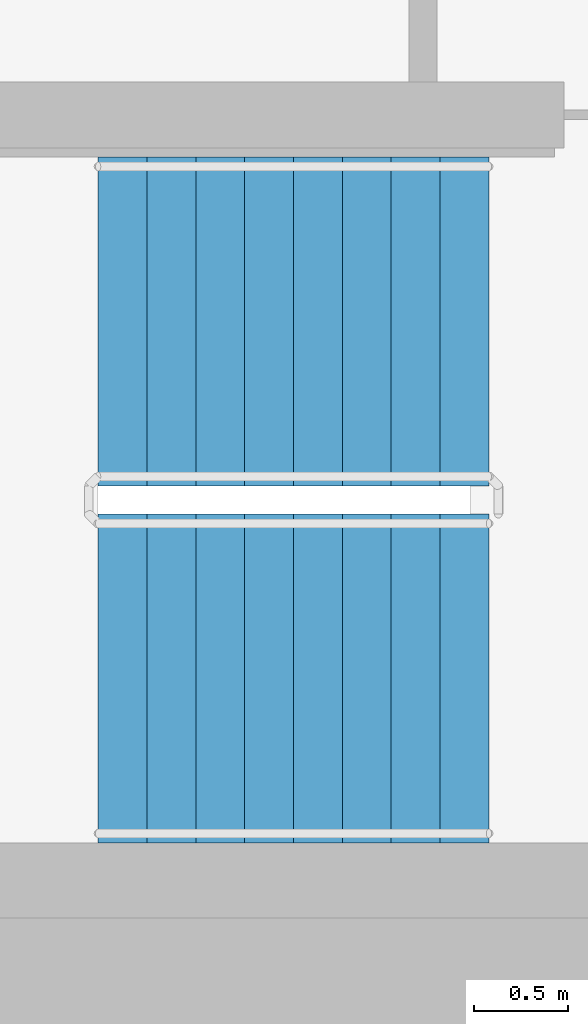
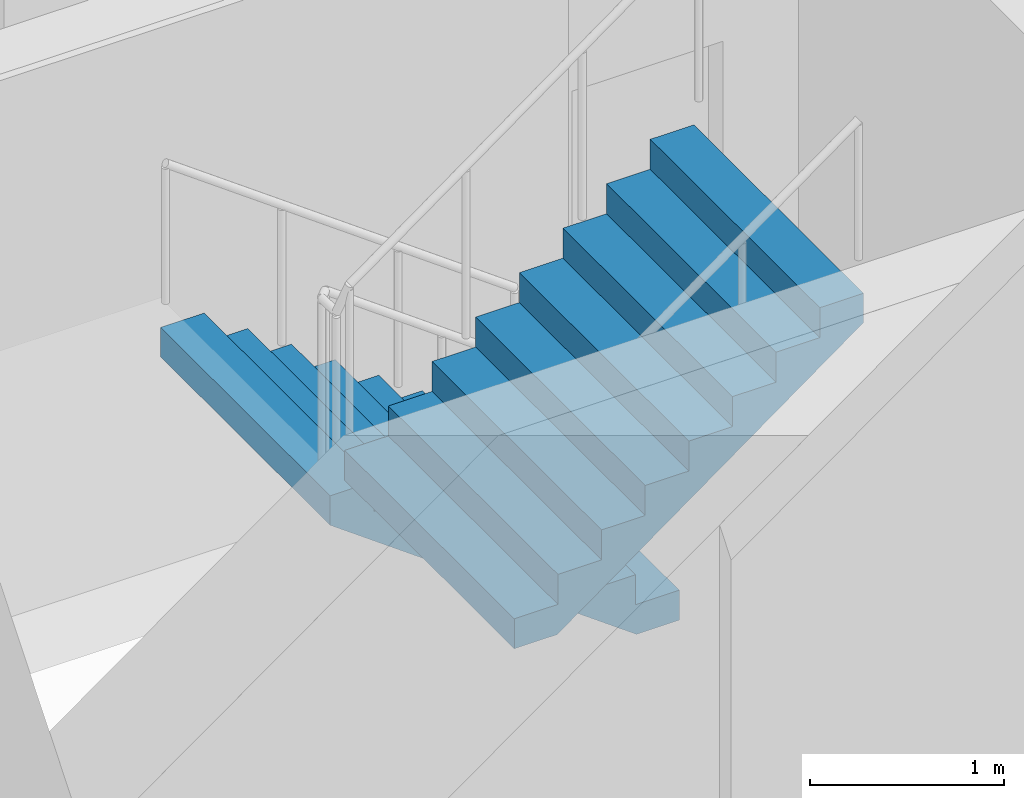
# One storey, part 12 of 18: 2 stair flights, 1 element without a shape of its own.
"""IFC4 building model written with IfcOpenShell, lengths in metres."""

import ifcopenshell
import ifcopenshell.guid

model = None  # the IFC model being written
_history = None  # IfcOwnerHistory: only IFC2X3 demands one
_inside = {}  # id of a spatial element -> (the spatial element, [elements in it])
_under = {}  # id of a project, library or spatial element -> (it, [spatial elements below it])
_declared = {}  # id of a project -> (the project, [libraries it declares])
_typed = {}  # id of a type object -> (the type object, [elements of that type])
_made_of = {}  # id of a material, layer set ... -> (it, [elements and type objects made of it])


def new_model(schema):
    """Start an empty IFC model of exactly this schema.

    Asked for "IFC4X3", IfcOpenShell would pick the latest addendum, in which some entities
    have other attributes; the version numbers below select the first issue.
    IFC2X3 requires an IfcOwnerHistory on every rooted entity: one is made here for all.
    """
    global model, _history
    if schema == "IFC4X3":
        model = ifcopenshell.file(schema_version=(4, 3, 0, 0))
    else:
        model = ifcopenshell.file(schema=schema)
    _inside.clear()
    _under.clear()
    _declared.clear()
    _typed.clear()
    _made_of.clear()
    _history = None
    if model.schema == "IFC2X3":
        org = make("IfcOrganization", Name="unknown")
        user = make(
            "IfcPersonAndOrganization",
            ThePerson=make("IfcPerson", FamilyName="unknown"),
            TheOrganization=org,
        )
        app = make(
            "IfcApplication",
            ApplicationDeveloper=org,
            Version="unknown",
            ApplicationFullName="unknown",
            ApplicationIdentifier="unknown",
        )
        _history = make(
            "IfcOwnerHistory",
            OwningUser=user,
            OwningApplication=app,
            ChangeAction="ADDED",
            CreationDate=0,
        )
    return model


def make(cls, **values):
    """One entity of the class cls with the attributes given. An attribute that is None is left unset."""
    return model.create_entity(
        cls, **{name: value for name, value in values.items() if value is not None}
    )


def rooted(cls, **values):
    """An entity with a GlobalId (a new one), such as an element, a storey or a relation."""
    return make(cls, GlobalId=ifcopenshell.guid.new(), OwnerHistory=_history, **values)


def si_unit(unit_type, name, prefix=None):
    """IfcSIUnit, for example si_unit("LENGTHUNIT", "METRE", prefix="MILLI")."""
    return make("IfcSIUnit", UnitType=unit_type, Prefix=prefix, Name=name)


def assignment(units):
    """IfcUnitAssignment: the units of a project."""
    return None if units is None else make("IfcUnitAssignment", Units=units)


def point(xyz):
    """IfcCartesianPoint."""
    return None if xyz is None else make("IfcCartesianPoint", Coordinates=xyz)


def direction(xyz):
    """IfcDirection."""
    return None if xyz is None else make("IfcDirection", DirectionRatios=xyz)


def frame(location, z_axis=None, x_axis=None):
    """IfcAxis2Placement3D, a coordinate frame: its origin and axes. An axis left out is left unset."""
    return make(
        "IfcAxis2Placement3D",
        Location=point(location),
        Axis=direction(z_axis),
        RefDirection=direction(x_axis),
    )


def origin():
    """The frame at (0, 0, 0) with its axes left unset."""
    return frame((0.0, 0.0, 0.0))


def place(relative_to, where):
    """IfcLocalPlacement: puts the frame where relative to a parent placement (None: the world)."""
    return make(
        "IfcLocalPlacement", PlacementRelTo=relative_to, RelativePlacement=where
    )


def context(
    kind, dimensions, precision=None, world=None, true_north=None, identifier=None
):
    """IfcGeometricRepresentationContext, for example the 3D "Model" context."""
    return make(
        "IfcGeometricRepresentationContext",
        ContextIdentifier=identifier,
        ContextType=kind,
        CoordinateSpaceDimension=dimensions,
        Precision=precision,
        WorldCoordinateSystem=world,
        TrueNorth=true_north,
    )


def subcontext(parent, identifier, kind, view, scale=None):
    """IfcGeometricRepresentationSubContext, for example "Body" below "Model"."""
    return make(
        "IfcGeometricRepresentationSubContext",
        ContextIdentifier=identifier,
        ContextType=kind,
        ParentContext=parent,
        TargetScale=scale,
        TargetView=view,
    )


def project(units=None, contexts=None):
    """IfcProject with its units and contexts."""
    return rooted(
        "IfcProject",
        Name="project",
        RepresentationContexts=contexts,
        UnitsInContext=assignment(units),
    )


def spatial(cls, under=None, at=None, **own):
    """A site, building, storey or space (cls), placed at a placement, below another one or the project."""
    s = rooted(cls, ObjectPlacement=at, **own)
    if under is not None:
        _under.setdefault(under.id(), (under, []))[1].append(s)
    return s


def faces_of(points, faces, orient=None, outer=None):
    """IfcFace entities. A face is a list of loops; a loop is a list of indices into points, from 0.

    orient and outer hold one flag for each loop. By default every Orientation is true, the
    first loop of a face is its IfcFaceOuterBound and the others are IfcFaceBound.
    """
    made = []
    for i, loops in enumerate(faces):
        bounds = []
        for j, loop in enumerate(loops):
            is_outer = j == 0 if outer is None else outer[i][j]
            bounds.append(
                make(
                    "IfcFaceOuterBound" if is_outer else "IfcFaceBound",
                    Bound=make("IfcPolyLoop", Polygon=[points[k] for k in loop]),
                    Orientation=True if orient is None else orient[i][j],
                )
            )
        made.append(make("IfcFace", Bounds=bounds))
    return made


def faceted_brep(points, faces, orient=None, outer=None, voids=None):
    """IfcFacetedBrep: a solid bounded by flat faces; with voids (closed shells), ...WithVoids."""
    shared = [point(p) for p in points]
    hull = make("IfcClosedShell", CfsFaces=faces_of(shared, faces, orient, outer))
    if voids is None:
        return make("IfcFacetedBrep", Outer=hull)
    return make(
        "IfcFacetedBrepWithVoids",
        Outer=hull,
        Voids=[
            make(cls, CfsFaces=faces_of(shared, fs, o, b)) for cls, fs, o, b in voids
        ],
    )


def shape(context_of_items, identifier, shape_type, items):
    """IfcShapeRepresentation: the items that make up one representation, for example the "Body"."""
    return make(
        "IfcShapeRepresentation",
        ContextOfItems=context_of_items,
        RepresentationIdentifier=identifier,
        RepresentationType=shape_type,
        Items=items,
    )


def material(Name=None, Category=None):
    """IfcMaterial."""
    return make("IfcMaterial", Name=Name, Category=Category)


def made_of(thing, what):
    """Note that an element or type object is made of a material, layer set ...; save() writes the relation."""
    if what is not None:
        _made_of.setdefault(what.id(), (what, []))[1].append(thing)
    return thing


def type_object(cls, material=None, **own):
    """A type object (cls), such as IfcWallType, which elements share."""
    return made_of(rooted(cls, **own), material)


def element(
    cls,
    number,
    at=None,
    inside=None,
    cuts=None,
    type_object=None,
    material=None,
    context=None,
    identifier="Body",
    shape_type=None,
    held_by="IfcProductDefinitionShape",
    body=None,
    shapes=None,
    **own,
):
    """One element of the class cls, such as IfcWall. Its Tag is "e" and its number.

    at: its placement. inside: the storey or other place that contains it. cuts: it is an
    opening in that element (IfcRelVoidsElement). A single representation is given by context,
    identifier, shape_type and body (its items); several are given by shapes. held_by: the class
    of the entity that holds the representations. save() writes the other relations.
    """
    e = rooted(cls, Tag="e%d" % number, ObjectPlacement=at, **own)
    if body is not None:
        shapes = [shape(context, identifier, shape_type, body)]
    if shapes is not None:
        e.Representation = make(held_by, Representations=shapes)
    if inside is not None:
        _inside.setdefault(inside.id(), (inside, []))[1].append(e)
    if cuts is not None:
        rooted(
            "IfcRelVoidsElement", RelatingBuildingElement=cuts, RelatedOpeningElement=e
        )
    if type_object is not None:
        _typed.setdefault(type_object.id(), (type_object, []))[1].append(e)
    return made_of(e, material)


def aggregate(whole, parts):
    """IfcRelAggregates: a whole, such as a stair, and the parts it consists of."""
    return rooted("IfcRelAggregates", RelatingObject=whole, RelatedObjects=parts)


def save(model, path):
    """Write the relations noted so far, then the file.

    IfcRelAggregates (storeys below a building ...), IfcRelContainedInSpatialStructure (elements
    in a storey), IfcRelDefinesByType, IfcRelAssociatesMaterial and IfcRelDeclares: one each for
    every whole, place, type object, material and project.
    """
    for whole, parts in _under.values():
        aggregate(whole, parts)
    for where, things in _inside.values():
        rooted(
            "IfcRelContainedInSpatialStructure",
            RelatedElements=things,
            RelatingStructure=where,
        )
    for kind, things in _typed.values():
        rooted("IfcRelDefinesByType", RelatedObjects=things, RelatingType=kind)
    for what, things in _made_of.values():
        rooted("IfcRelAssociatesMaterial", RelatedObjects=things, RelatingMaterial=what)
    for by, libraries in _declared.values():
        rooted("IfcRelDeclares", RelatingContext=by, RelatedDefinitions=libraries)
    model.write(path)


model = new_model("IFC4")

# Units and contexts
model_context = context("Model", 3, precision=1e-05, world=origin(), true_north=direction((0.0, 1.0)))
body_context = subcontext(model_context, "Body", "Model", "MODEL_VIEW")
ifc_project = project(units=[si_unit("LENGTHUNIT", "METRE"), si_unit("AREAUNIT", "SQUARE_METRE"), si_unit("VOLUMEUNIT", "CUBIC_METRE"), si_unit("PLANEANGLEUNIT", "RADIAN"), si_unit("MASSUNIT", "GRAM", prefix="KILO")], contexts=[model_context])

# Site, building, storey
site_placement = place(None, origin())
site = spatial("IfcSite", under=ifc_project, at=site_placement, CompositionType="ELEMENT")
building_placement = place(site_placement, origin())
building = spatial("IfcBuilding", under=site, at=building_placement, Name="Ipe Terrace Towers", CompositionType="ELEMENT")
storey_placement = place(building_placement, frame((0.0, 0.0, 177.89990234375)))
storey = spatial("IfcBuildingStorey", under=building, at=storey_placement, Name="L49", CompositionType="ELEMENT", Elevation=177.89990234375)

# Stair, stair flights
ifc_material_1 = material(Name="Concrete C30/37", Category="concrete")
stair_type = type_object("IfcStairType", Name="Protected exit stair", PredefinedType="HALF_TURN_STAIR", material=ifc_material_1)
stair_placement = place(storey_placement, origin())
stair = element("IfcStair", 1, at=stair_placement, inside=storey, type_object=stair_type, Name="L49 Exit stair T1-C2", PredefinedType="HALF_TURN_STAIR")
ifc_material_2 = material(Name="Concrete C30/37", Category="concrete")
stair_flight_type = type_object("IfcStairFlightType", Name="Exit stair flight 1750", PredefinedType="STRAIGHT", material=ifc_material_2)
stair_flight_1_placement = place(storey_placement, frame((-45.699951171875, -2.77490234375, 0.0), z_axis=(0.0, 0.0, 1.0), x_axis=(-1.0, 0.0, 0.0)))
stair_flight_1 = element("IfcStairFlight", 2, at=stair_flight_1_placement, type_object=stair_flight_type, Name="T1-ST2 flight 1", NumberOfRisers=9, NumberOfTreads=8, PredefinedType="STRAIGHT", RiserHeight=0.188888889, TreadLength=0.26, context=body_context, shape_type="Brep", body=[
    faceted_brep([(0.255126953125, -0.875, 0.0), (2.080078125, -0.875, 1.325927734375), (2.080078125, -0.875, 1.51123046875), (1.820068359375, -0.875, 1.51123046875), (1.820068359375, -0.875, 1.322265625), (1.56005859375, -0.875, 1.322265625), (1.56005859375, -0.875, 1.13330078125), (1.300048828125, -0.875, 1.13330078125), (1.300048828125, -0.875, 0.9443359375), (1.0400390625, -0.875, 0.9443359375), (1.0400390625, -0.875, 0.755615234375), (0.780029296875, -0.875, 0.755615234375), (0.780029296875, -0.875, 0.566650390625), (0.52001953125, -0.875, 0.566650390625), (0.52001953125, -0.875, 0.377685546875), (0.260009765625, -0.875, 0.377685546875), (0.260009765625, -0.875, 0.18896484375), (0.0, -0.875, 0.18896484375), (0.0, -0.875, 0.0), (0.0, 0.875, 0.0), (0.0, 0.875, 0.18896484375), (0.260009765625, 0.875, 0.18896484375), (0.260009765625, 0.875, 0.377685546875), (0.52001953125, 0.875, 0.377685546875), (0.52001953125, 0.875, 0.566650390625), (0.780029296875, 0.875, 0.566650390625), (0.780029296875, 0.875, 0.755615234375), (1.0400390625, 0.875, 0.755615234375), (1.0400390625, 0.875, 0.9443359375), (1.300048828125, 0.875, 0.9443359375), (1.300048828125, 0.875, 1.13330078125), (1.56005859375, 0.875, 1.13330078125), (1.56005859375, 0.875, 1.322265625), (1.820068359375, 0.875, 1.322265625), (1.820068359375, 0.875, 1.51123046875), (2.080078125, 0.875, 1.51123046875), (2.080078125, 0.875, 1.325927734375), (0.255126953125, 0.875, 0.0), (0.0, -0.300048828125, 0.18896484375), (0.0, -0.1201171875, 0.18896484375), (0.0, -0.06005859375, 0.18896484375), (0.0, -0.030029296875, 0.18896484375), (0.0, -0.010009765625, 0.18896484375), (0.0, 0.0, 0.18896484375), (0.0, 0.010009765625, 0.18896484375), (0.0, 0.030029296875, 0.18896484375), (0.0, 0.06005859375, 0.18896484375), (0.0, 0.1201171875, 0.18896484375), (0.0, 0.300048828125, 0.18896484375), (0.0, 0.300048828125, 0.0), (0.0, 0.1201171875, 0.0), (0.0, 0.06005859375, 0.0), (0.0, 0.030029296875, 0.0), (0.0, 0.010009765625, 0.0), (0.0, 0.0, 0.0), (0.0, -0.010009765625, 0.0), (0.0, -0.030029296875, 0.0), (0.0, -0.06005859375, 0.0), (0.0, -0.1201171875, 0.0), (0.0, -0.300048828125, 0.0), (0.260009765625, -0.300048828125, 0.18896484375), (0.260009765625, -0.1201171875, 0.18896484375), (0.260009765625, -0.06005859375, 0.18896484375), (0.260009765625, -0.030029296875, 0.18896484375), (0.260009765625, -0.010009765625, 0.18896484375), (0.260009765625, 0.0, 0.18896484375), (0.260009765625, 0.010009765625, 0.18896484375), (0.260009765625, 0.030029296875, 0.18896484375), (0.260009765625, 0.06005859375, 0.18896484375), (0.260009765625, 0.1201171875, 0.18896484375), (0.260009765625, 0.300048828125, 0.18896484375), (0.260009765625, -0.300048828125, 0.377685546875), (0.260009765625, -0.1201171875, 0.377685546875), (0.260009765625, -0.06005859375, 0.377685546875), (0.260009765625, -0.030029296875, 0.377685546875), (0.260009765625, -0.010009765625, 0.377685546875), (0.260009765625, 0.0, 0.377685546875), (0.260009765625, 0.010009765625, 0.377685546875), (0.260009765625, 0.030029296875, 0.377685546875), (0.260009765625, 0.06005859375, 0.377685546875), (0.260009765625, 0.1201171875, 0.377685546875), (0.260009765625, 0.300048828125, 0.377685546875), (0.52001953125, -0.300048828125, 0.377685546875), (0.52001953125, -0.1201171875, 0.377685546875), (0.52001953125, -0.06005859375, 0.377685546875), (0.52001953125, -0.030029296875, 0.377685546875), (0.52001953125, -0.010009765625, 0.377685546875), (0.52001953125, 0.0, 0.377685546875), (0.52001953125, 0.010009765625, 0.377685546875), (0.52001953125, 0.030029296875, 0.377685546875), (0.52001953125, 0.06005859375, 0.377685546875), (0.52001953125, 0.1201171875, 0.377685546875), (0.52001953125, 0.300048828125, 0.377685546875), (0.52001953125, -0.300048828125, 0.566650390625), (0.52001953125, -0.1201171875, 0.566650390625), (0.52001953125, -0.06005859375, 0.566650390625), (0.52001953125, -0.030029296875, 0.566650390625), (0.52001953125, -0.010009765625, 0.566650390625), (0.52001953125, 0.0, 0.566650390625), (0.52001953125, 0.010009765625, 0.566650390625), (0.52001953125, 0.030029296875, 0.566650390625), (0.52001953125, 0.06005859375, 0.566650390625), (0.52001953125, 0.1201171875, 0.566650390625), (0.52001953125, 0.300048828125, 0.566650390625), (0.780029296875, -0.300048828125, 0.566650390625), (0.780029296875, -0.1201171875, 0.566650390625), (0.780029296875, -0.06005859375, 0.566650390625), (0.780029296875, -0.030029296875, 0.566650390625), (0.780029296875, -0.010009765625, 0.566650390625), (0.780029296875, 0.0, 0.566650390625), (0.780029296875, 0.010009765625, 0.566650390625), (0.780029296875, 0.030029296875, 0.566650390625), (0.780029296875, 0.06005859375, 0.566650390625), (0.780029296875, 0.1201171875, 0.566650390625), (0.780029296875, 0.300048828125, 0.566650390625), (0.780029296875, -0.300048828125, 0.755615234375), (0.780029296875, -0.1201171875, 0.755615234375), (0.780029296875, -0.06005859375, 0.755615234375), (0.780029296875, -0.030029296875, 0.755615234375), (0.780029296875, -0.010009765625, 0.755615234375), (0.780029296875, 0.0, 0.755615234375), (0.780029296875, 0.010009765625, 0.755615234375), (0.780029296875, 0.030029296875, 0.755615234375), (0.780029296875, 0.06005859375, 0.755615234375), (0.780029296875, 0.1201171875, 0.755615234375), (0.780029296875, 0.300048828125, 0.755615234375), (1.0400390625, -0.300048828125, 0.755615234375), (1.0400390625, -0.1201171875, 0.755615234375), (1.0400390625, -0.06005859375, 0.755615234375), (1.0400390625, -0.030029296875, 0.755615234375), (1.0400390625, -0.010009765625, 0.755615234375), (1.0400390625, 0.0, 0.755615234375), (1.0400390625, 0.010009765625, 0.755615234375), (1.0400390625, 0.030029296875, 0.755615234375), (1.0400390625, 0.06005859375, 0.755615234375), (1.0400390625, 0.1201171875, 0.755615234375), (1.0400390625, 0.300048828125, 0.755615234375), (1.0400390625, -0.300048828125, 0.9443359375), (1.0400390625, -0.1201171875, 0.9443359375), (1.0400390625, -0.06005859375, 0.9443359375), (1.0400390625, -0.030029296875, 0.9443359375), (1.0400390625, -0.010009765625, 0.9443359375), (1.0400390625, 0.0, 0.9443359375), (1.0400390625, 0.010009765625, 0.9443359375), (1.0400390625, 0.030029296875, 0.9443359375), (1.0400390625, 0.06005859375, 0.9443359375), (1.0400390625, 0.1201171875, 0.9443359375), (1.0400390625, 0.300048828125, 0.9443359375), (1.300048828125, -0.300048828125, 0.9443359375), (1.300048828125, -0.1201171875, 0.9443359375), (1.300048828125, -0.06005859375, 0.9443359375), (1.300048828125, -0.030029296875, 0.9443359375), (1.300048828125, -0.010009765625, 0.9443359375), (1.300048828125, 0.0, 0.9443359375), (1.300048828125, 0.010009765625, 0.9443359375), (1.300048828125, 0.030029296875, 0.9443359375), (1.300048828125, 0.06005859375, 0.9443359375), (1.300048828125, 0.1201171875, 0.9443359375), (1.300048828125, 0.300048828125, 0.9443359375), (1.300048828125, -0.300048828125, 1.13330078125), (1.300048828125, -0.1201171875, 1.13330078125), (1.300048828125, -0.06005859375, 1.13330078125), (1.300048828125, -0.030029296875, 1.13330078125), (1.300048828125, -0.010009765625, 1.13330078125), (1.300048828125, 0.0, 1.13330078125), (1.300048828125, 0.010009765625, 1.13330078125), (1.300048828125, 0.030029296875, 1.13330078125), (1.300048828125, 0.06005859375, 1.13330078125), (1.300048828125, 0.1201171875, 1.13330078125), (1.300048828125, 0.300048828125, 1.13330078125), (1.56005859375, -0.300048828125, 1.13330078125), (1.56005859375, -0.1201171875, 1.13330078125), (1.56005859375, -0.06005859375, 1.13330078125), (1.56005859375, -0.030029296875, 1.13330078125), (1.56005859375, -0.010009765625, 1.13330078125), (1.56005859375, 0.0, 1.13330078125), (1.56005859375, 0.010009765625, 1.13330078125), (1.56005859375, 0.030029296875, 1.13330078125), (1.56005859375, 0.06005859375, 1.13330078125), (1.56005859375, 0.1201171875, 1.13330078125), (1.56005859375, 0.300048828125, 1.13330078125), (1.56005859375, -0.300048828125, 1.322265625), (1.56005859375, -0.1201171875, 1.322265625), (1.56005859375, -0.06005859375, 1.322265625), (1.56005859375, -0.030029296875, 1.322265625), (1.56005859375, -0.010009765625, 1.322265625), (1.56005859375, 0.0, 1.322265625), (1.56005859375, 0.010009765625, 1.322265625), (1.56005859375, 0.030029296875, 1.322265625), (1.56005859375, 0.06005859375, 1.322265625), (1.56005859375, 0.1201171875, 1.322265625), (1.56005859375, 0.300048828125, 1.322265625), (1.820068359375, -0.300048828125, 1.322265625), (1.820068359375, -0.1201171875, 1.322265625), (1.820068359375, -0.06005859375, 1.322265625), (1.820068359375, -0.030029296875, 1.322265625), (1.820068359375, -0.010009765625, 1.322265625), (1.820068359375, 0.0, 1.322265625), (1.820068359375, 0.010009765625, 1.322265625), (1.820068359375, 0.030029296875, 1.322265625), (1.820068359375, 0.06005859375, 1.322265625), (1.820068359375, 0.1201171875, 1.322265625), (1.820068359375, 0.300048828125, 1.322265625), (1.820068359375, -0.300048828125, 1.51123046875), (1.820068359375, -0.1201171875, 1.51123046875), (1.820068359375, -0.06005859375, 1.51123046875), (1.820068359375, -0.030029296875, 1.51123046875), (1.820068359375, -0.010009765625, 1.51123046875), (1.820068359375, 0.0, 1.51123046875), (1.820068359375, 0.010009765625, 1.51123046875), (1.820068359375, 0.030029296875, 1.51123046875), (1.820068359375, 0.06005859375, 1.51123046875), (1.820068359375, 0.1201171875, 1.51123046875), (1.820068359375, 0.300048828125, 1.51123046875), (2.080078125, -0.300048828125, 1.51123046875), (2.080078125, -0.1201171875, 1.51123046875), (2.080078125, -0.06005859375, 1.51123046875), (2.080078125, -0.030029296875, 1.51123046875), (2.080078125, -0.010009765625, 1.51123046875), (2.080078125, 0.0, 1.51123046875), (2.080078125, 0.010009765625, 1.51123046875), (2.080078125, 0.030029296875, 1.51123046875), (2.080078125, 0.06005859375, 1.51123046875), (2.080078125, 0.1201171875, 1.51123046875), (2.080078125, 0.300048828125, 1.51123046875), (2.080078125, -0.300048828125, 1.325927734375), (2.080078125, -0.1201171875, 1.325927734375), (2.080078125, -0.06005859375, 1.325927734375), (2.080078125, -0.030029296875, 1.325927734375), (2.080078125, -0.010009765625, 1.325927734375), (2.080078125, 0.0, 1.325927734375), (2.080078125, 0.010009765625, 1.325927734375), (2.080078125, 0.030029296875, 1.325927734375), (2.080078125, 0.06005859375, 1.325927734375), (2.080078125, 0.1201171875, 1.325927734375), (2.080078125, 0.300048828125, 1.325927734375), (0.255126953125, -0.300048828125, 0.0), (0.255126953125, -0.1201171875, 0.0), (0.255126953125, -0.06005859375, 0.0), (0.255126953125, -0.030029296875, 0.0), (0.255126953125, -0.010009765625, 0.0), (0.255126953125, 0.0, 0.0), (0.255126953125, 0.010009765625, 0.0), (0.255126953125, 0.030029296875, 0.0), (0.255126953125, 0.06005859375, 0.0), (0.255126953125, 0.1201171875, 0.0), (0.255126953125, 0.300048828125, 0.0)], [[[0, 1, 2, 3, 4, 5, 6, 7, 8, 9, 10, 11, 12, 13, 14, 15, 16, 17, 18]], [[19, 20, 21, 22, 23, 24, 25, 26, 27, 28, 29, 30, 31, 32, 33, 34, 35, 36, 37]], [[17, 38, 39, 40, 41, 42, 43, 44, 45, 46, 47, 48, 20, 19, 49, 50, 51, 52, 53, 54, 55, 56, 57, 58, 59, 18]], [[16, 60, 61, 62, 63, 64, 65, 66, 67, 68, 69, 70, 21, 20, 48, 47, 46, 45, 44, 43, 42, 41, 40, 39, 38, 17]], [[15, 71, 72, 73, 74, 75, 76, 77, 78, 79, 80, 81, 22, 21, 70, 69, 68, 67, 66, 65, 64, 63, 62, 61, 60, 16]], [[14, 82, 83, 84, 85, 86, 87, 88, 89, 90, 91, 92, 23, 22, 81, 80, 79, 78, 77, 76, 75, 74, 73, 72, 71, 15]], [[13, 93, 94, 95, 96, 97, 98, 99, 100, 101, 102, 103, 24, 23, 92, 91, 90, 89, 88, 87, 86, 85, 84, 83, 82, 14]], [[12, 104, 105, 106, 107, 108, 109, 110, 111, 112, 113, 114, 25, 24, 103, 102, 101, 100, 99, 98, 97, 96, 95, 94, 93, 13]], [[11, 115, 116, 117, 118, 119, 120, 121, 122, 123, 124, 125, 26, 25, 114, 113, 112, 111, 110, 109, 108, 107, 106, 105, 104, 12]], [[10, 126, 127, 128, 129, 130, 131, 132, 133, 134, 135, 136, 27, 26, 125, 124, 123, 122, 121, 120, 119, 118, 117, 116, 115, 11]], [[9, 137, 138, 139, 140, 141, 142, 143, 144, 145, 146, 147, 28, 27, 136, 135, 134, 133, 132, 131, 130, 129, 128, 127, 126, 10]], [[8, 148, 149, 150, 151, 152, 153, 154, 155, 156, 157, 158, 29, 28, 147, 146, 145, 144, 143, 142, 141, 140, 139, 138, 137, 9]], [[7, 159, 160, 161, 162, 163, 164, 165, 166, 167, 168, 169, 30, 29, 158, 157, 156, 155, 154, 153, 152, 151, 150, 149, 148, 8]], [[6, 170, 171, 172, 173, 174, 175, 176, 177, 178, 179, 180, 31, 30, 169, 168, 167, 166, 165, 164, 163, 162, 161, 160, 159, 7]], [[5, 181, 182, 183, 184, 185, 186, 187, 188, 189, 190, 191, 32, 31, 180, 179, 178, 177, 176, 175, 174, 173, 172, 171, 170, 6]], [[4, 192, 193, 194, 195, 196, 197, 198, 199, 200, 201, 202, 33, 32, 191, 190, 189, 188, 187, 186, 185, 184, 183, 182, 181, 5]], [[3, 203, 204, 205, 206, 207, 208, 209, 210, 211, 212, 213, 34, 33, 202, 201, 200, 199, 198, 197, 196, 195, 194, 193, 192, 4]], [[2, 214, 215, 216, 217, 218, 219, 220, 221, 222, 223, 224, 35, 34, 213, 212, 211, 210, 209, 208, 207, 206, 205, 204, 203, 3]], [[1, 225, 226, 227, 228, 229, 230, 231, 232, 233, 234, 235, 36, 35, 224, 223, 222, 221, 220, 219, 218, 217, 216, 215, 214, 2]], [[0, 236, 237, 238, 239, 240, 241, 242, 243, 244, 245, 246, 37, 36, 235, 234, 233, 232, 231, 230, 229, 228, 227, 226, 225, 1]], [[18, 59, 58, 57, 56, 55, 54, 53, 52, 51, 50, 49, 19, 37, 246, 245, 244, 243, 242, 241, 240, 239, 238, 237, 236, 0]]]),
])
stair_flight_2_placement = place(storey_placement, frame((-47.780029296875, -4.675048828125, 1.7001953125), z_axis=(0.0, 0.0, 1.0), x_axis=(1.0, 0.0, 0.0)))
stair_flight_2 = element("IfcStairFlight", 3, at=stair_flight_2_placement, type_object=stair_flight_type, Name="T1-ST2 flight 2", NumberOfRisers=9, NumberOfTreads=8, PredefinedType="STRAIGHT", RiserHeight=0.188888889, TreadLength=0.26, context=body_context, shape_type="Brep", body=[
    faceted_brep([(0.255126953125, -0.875, 0.0), (2.080078125, -0.875, 1.325927734375), (2.080078125, -0.875, 1.51123046875), (1.820068359375, -0.875, 1.51123046875), (1.820068359375, -0.875, 1.322265625), (1.56005859375, -0.875, 1.322265625), (1.56005859375, -0.875, 1.13330078125), (1.300048828125, -0.875, 1.13330078125), (1.300048828125, -0.875, 0.9443359375), (1.0400390625, -0.875, 0.9443359375), (1.0400390625, -0.875, 0.755615234375), (0.780029296875, -0.875, 0.755615234375), (0.780029296875, -0.875, 0.566650390625), (0.52001953125, -0.875, 0.566650390625), (0.52001953125, -0.875, 0.377685546875), (0.260009765625, -0.875, 0.377685546875), (0.260009765625, -0.875, 0.18896484375), (0.0, -0.875, 0.18896484375), (0.0, -0.875, 0.0), (0.0, 0.875, 0.0), (0.0, 0.875, 0.18896484375), (0.260009765625, 0.875, 0.18896484375), (0.260009765625, 0.875, 0.377685546875), (0.52001953125, 0.875, 0.377685546875), (0.52001953125, 0.875, 0.566650390625), (0.780029296875, 0.875, 0.566650390625), (0.780029296875, 0.875, 0.755615234375), (1.0400390625, 0.875, 0.755615234375), (1.0400390625, 0.875, 0.9443359375), (1.300048828125, 0.875, 0.9443359375), (1.300048828125, 0.875, 1.13330078125), (1.56005859375, 0.875, 1.13330078125), (1.56005859375, 0.875, 1.322265625), (1.820068359375, 0.875, 1.322265625), (1.820068359375, 0.875, 1.51123046875), (2.080078125, 0.875, 1.51123046875), (2.080078125, 0.875, 1.325927734375), (0.255126953125, 0.875, 0.0), (0.0, -0.300048828125, 0.18896484375), (0.0, -0.1201171875, 0.18896484375), (0.0, -0.06005859375, 0.18896484375), (0.0, -0.030029296875, 0.18896484375), (0.0, -0.010009765625, 0.18896484375), (0.0, 0.0, 0.18896484375), (0.0, 0.010009765625, 0.18896484375), (0.0, 0.030029296875, 0.18896484375), (0.0, 0.06005859375, 0.18896484375), (0.0, 0.1201171875, 0.18896484375), (0.0, 0.300048828125, 0.18896484375), (0.0, 0.300048828125, 0.0), (0.0, 0.1201171875, 0.0), (0.0, 0.06005859375, 0.0), (0.0, 0.030029296875, 0.0), (0.0, 0.010009765625, 0.0), (0.0, 0.0, 0.0), (0.0, -0.010009765625, 0.0), (0.0, -0.030029296875, 0.0), (0.0, -0.06005859375, 0.0), (0.0, -0.1201171875, 0.0), (0.0, -0.300048828125, 0.0), (0.260009765625, -0.300048828125, 0.18896484375), (0.260009765625, -0.1201171875, 0.18896484375), (0.260009765625, -0.06005859375, 0.18896484375), (0.260009765625, -0.030029296875, 0.18896484375), (0.260009765625, -0.010009765625, 0.18896484375), (0.260009765625, 0.0, 0.18896484375), (0.260009765625, 0.010009765625, 0.18896484375), (0.260009765625, 0.030029296875, 0.18896484375), (0.260009765625, 0.06005859375, 0.18896484375), (0.260009765625, 0.1201171875, 0.18896484375), (0.260009765625, 0.300048828125, 0.18896484375), (0.260009765625, -0.300048828125, 0.377685546875), (0.260009765625, -0.1201171875, 0.377685546875), (0.260009765625, -0.06005859375, 0.377685546875), (0.260009765625, -0.030029296875, 0.377685546875), (0.260009765625, -0.010009765625, 0.377685546875), (0.260009765625, 0.0, 0.377685546875), (0.260009765625, 0.010009765625, 0.377685546875), (0.260009765625, 0.030029296875, 0.377685546875), (0.260009765625, 0.06005859375, 0.377685546875), (0.260009765625, 0.1201171875, 0.377685546875), (0.260009765625, 0.300048828125, 0.377685546875), (0.52001953125, -0.300048828125, 0.377685546875), (0.52001953125, -0.1201171875, 0.377685546875), (0.52001953125, -0.06005859375, 0.377685546875), (0.52001953125, -0.030029296875, 0.377685546875), (0.52001953125, -0.010009765625, 0.377685546875), (0.52001953125, 0.0, 0.377685546875), (0.52001953125, 0.010009765625, 0.377685546875), (0.52001953125, 0.030029296875, 0.377685546875), (0.52001953125, 0.06005859375, 0.377685546875), (0.52001953125, 0.1201171875, 0.377685546875), (0.52001953125, 0.300048828125, 0.377685546875), (0.52001953125, -0.300048828125, 0.566650390625), (0.52001953125, -0.1201171875, 0.566650390625), (0.52001953125, -0.06005859375, 0.566650390625), (0.52001953125, -0.030029296875, 0.566650390625), (0.52001953125, -0.010009765625, 0.566650390625), (0.52001953125, 0.0, 0.566650390625), (0.52001953125, 0.010009765625, 0.566650390625), (0.52001953125, 0.030029296875, 0.566650390625), (0.52001953125, 0.06005859375, 0.566650390625), (0.52001953125, 0.1201171875, 0.566650390625), (0.52001953125, 0.300048828125, 0.566650390625), (0.780029296875, -0.300048828125, 0.566650390625), (0.780029296875, -0.1201171875, 0.566650390625), (0.780029296875, -0.06005859375, 0.566650390625), (0.780029296875, -0.030029296875, 0.566650390625), (0.780029296875, -0.010009765625, 0.566650390625), (0.780029296875, 0.0, 0.566650390625), (0.780029296875, 0.010009765625, 0.566650390625), (0.780029296875, 0.030029296875, 0.566650390625), (0.780029296875, 0.06005859375, 0.566650390625), (0.780029296875, 0.1201171875, 0.566650390625), (0.780029296875, 0.300048828125, 0.566650390625), (0.780029296875, -0.300048828125, 0.755615234375), (0.780029296875, -0.1201171875, 0.755615234375), (0.780029296875, -0.06005859375, 0.755615234375), (0.780029296875, -0.030029296875, 0.755615234375), (0.780029296875, -0.010009765625, 0.755615234375), (0.780029296875, 0.0, 0.755615234375), (0.780029296875, 0.010009765625, 0.755615234375), (0.780029296875, 0.030029296875, 0.755615234375), (0.780029296875, 0.06005859375, 0.755615234375), (0.780029296875, 0.1201171875, 0.755615234375), (0.780029296875, 0.300048828125, 0.755615234375), (1.0400390625, -0.300048828125, 0.755615234375), (1.0400390625, -0.1201171875, 0.755615234375), (1.0400390625, -0.06005859375, 0.755615234375), (1.0400390625, -0.030029296875, 0.755615234375), (1.0400390625, -0.010009765625, 0.755615234375), (1.0400390625, 0.0, 0.755615234375), (1.0400390625, 0.010009765625, 0.755615234375), (1.0400390625, 0.030029296875, 0.755615234375), (1.0400390625, 0.06005859375, 0.755615234375), (1.0400390625, 0.1201171875, 0.755615234375), (1.0400390625, 0.300048828125, 0.755615234375), (1.0400390625, -0.300048828125, 0.9443359375), (1.0400390625, -0.1201171875, 0.9443359375), (1.0400390625, -0.06005859375, 0.9443359375), (1.0400390625, -0.030029296875, 0.9443359375), (1.0400390625, -0.010009765625, 0.9443359375), (1.0400390625, 0.0, 0.9443359375), (1.0400390625, 0.010009765625, 0.9443359375), (1.0400390625, 0.030029296875, 0.9443359375), (1.0400390625, 0.06005859375, 0.9443359375), (1.0400390625, 0.1201171875, 0.9443359375), (1.0400390625, 0.300048828125, 0.9443359375), (1.300048828125, -0.300048828125, 0.9443359375), (1.300048828125, -0.1201171875, 0.9443359375), (1.300048828125, -0.06005859375, 0.9443359375), (1.300048828125, -0.030029296875, 0.9443359375), (1.300048828125, -0.010009765625, 0.9443359375), (1.300048828125, 0.0, 0.9443359375), (1.300048828125, 0.010009765625, 0.9443359375), (1.300048828125, 0.030029296875, 0.9443359375), (1.300048828125, 0.06005859375, 0.9443359375), (1.300048828125, 0.1201171875, 0.9443359375), (1.300048828125, 0.300048828125, 0.9443359375), (1.300048828125, -0.300048828125, 1.13330078125), (1.300048828125, -0.1201171875, 1.13330078125), (1.300048828125, -0.06005859375, 1.13330078125), (1.300048828125, -0.030029296875, 1.13330078125), (1.300048828125, -0.010009765625, 1.13330078125), (1.300048828125, 0.0, 1.13330078125), (1.300048828125, 0.010009765625, 1.13330078125), (1.300048828125, 0.030029296875, 1.13330078125), (1.300048828125, 0.06005859375, 1.13330078125), (1.300048828125, 0.1201171875, 1.13330078125), (1.300048828125, 0.300048828125, 1.13330078125), (1.56005859375, -0.300048828125, 1.13330078125), (1.56005859375, -0.1201171875, 1.13330078125), (1.56005859375, -0.06005859375, 1.13330078125), (1.56005859375, -0.030029296875, 1.13330078125), (1.56005859375, -0.010009765625, 1.13330078125), (1.56005859375, 0.0, 1.13330078125), (1.56005859375, 0.010009765625, 1.13330078125), (1.56005859375, 0.030029296875, 1.13330078125), (1.56005859375, 0.06005859375, 1.13330078125), (1.56005859375, 0.1201171875, 1.13330078125), (1.56005859375, 0.300048828125, 1.13330078125), (1.56005859375, -0.300048828125, 1.322265625), (1.56005859375, -0.1201171875, 1.322265625), (1.56005859375, -0.06005859375, 1.322265625), (1.56005859375, -0.030029296875, 1.322265625), (1.56005859375, -0.010009765625, 1.322265625), (1.56005859375, 0.0, 1.322265625), (1.56005859375, 0.010009765625, 1.322265625), (1.56005859375, 0.030029296875, 1.322265625), (1.56005859375, 0.06005859375, 1.322265625), (1.56005859375, 0.1201171875, 1.322265625), (1.56005859375, 0.300048828125, 1.322265625), (1.820068359375, -0.300048828125, 1.322265625), (1.820068359375, -0.1201171875, 1.322265625), (1.820068359375, -0.06005859375, 1.322265625), (1.820068359375, -0.030029296875, 1.322265625), (1.820068359375, -0.010009765625, 1.322265625), (1.820068359375, 0.0, 1.322265625), (1.820068359375, 0.010009765625, 1.322265625), (1.820068359375, 0.030029296875, 1.322265625), (1.820068359375, 0.06005859375, 1.322265625), (1.820068359375, 0.1201171875, 1.322265625), (1.820068359375, 0.300048828125, 1.322265625), (1.820068359375, -0.300048828125, 1.51123046875), (1.820068359375, -0.1201171875, 1.51123046875), (1.820068359375, -0.06005859375, 1.51123046875), (1.820068359375, -0.030029296875, 1.51123046875), (1.820068359375, -0.010009765625, 1.51123046875), (1.820068359375, 0.0, 1.51123046875), (1.820068359375, 0.010009765625, 1.51123046875), (1.820068359375, 0.030029296875, 1.51123046875), (1.820068359375, 0.06005859375, 1.51123046875), (1.820068359375, 0.1201171875, 1.51123046875), (1.820068359375, 0.300048828125, 1.51123046875), (2.080078125, -0.300048828125, 1.51123046875), (2.080078125, -0.1201171875, 1.51123046875), (2.080078125, -0.06005859375, 1.51123046875), (2.080078125, -0.030029296875, 1.51123046875), (2.080078125, -0.010009765625, 1.51123046875), (2.080078125, 0.0, 1.51123046875), (2.080078125, 0.010009765625, 1.51123046875), (2.080078125, 0.030029296875, 1.51123046875), (2.080078125, 0.06005859375, 1.51123046875), (2.080078125, 0.1201171875, 1.51123046875), (2.080078125, 0.300048828125, 1.51123046875), (2.080078125, -0.300048828125, 1.325927734375), (2.080078125, -0.1201171875, 1.325927734375), (2.080078125, -0.06005859375, 1.325927734375), (2.080078125, -0.030029296875, 1.325927734375), (2.080078125, -0.010009765625, 1.325927734375), (2.080078125, 0.0, 1.325927734375), (2.080078125, 0.010009765625, 1.325927734375), (2.080078125, 0.030029296875, 1.325927734375), (2.080078125, 0.06005859375, 1.325927734375), (2.080078125, 0.1201171875, 1.325927734375), (2.080078125, 0.300048828125, 1.325927734375), (0.255126953125, -0.300048828125, 0.0), (0.255126953125, -0.1201171875, 0.0), (0.255126953125, -0.06005859375, 0.0), (0.255126953125, -0.030029296875, 0.0), (0.255126953125, -0.010009765625, 0.0), (0.255126953125, 0.0, 0.0), (0.255126953125, 0.010009765625, 0.0), (0.255126953125, 0.030029296875, 0.0), (0.255126953125, 0.06005859375, 0.0), (0.255126953125, 0.1201171875, 0.0), (0.255126953125, 0.300048828125, 0.0)], [[[0, 1, 2, 3, 4, 5, 6, 7, 8, 9, 10, 11, 12, 13, 14, 15, 16, 17, 18]], [[19, 20, 21, 22, 23, 24, 25, 26, 27, 28, 29, 30, 31, 32, 33, 34, 35, 36, 37]], [[17, 38, 39, 40, 41, 42, 43, 44, 45, 46, 47, 48, 20, 19, 49, 50, 51, 52, 53, 54, 55, 56, 57, 58, 59, 18]], [[16, 60, 61, 62, 63, 64, 65, 66, 67, 68, 69, 70, 21, 20, 48, 47, 46, 45, 44, 43, 42, 41, 40, 39, 38, 17]], [[15, 71, 72, 73, 74, 75, 76, 77, 78, 79, 80, 81, 22, 21, 70, 69, 68, 67, 66, 65, 64, 63, 62, 61, 60, 16]], [[14, 82, 83, 84, 85, 86, 87, 88, 89, 90, 91, 92, 23, 22, 81, 80, 79, 78, 77, 76, 75, 74, 73, 72, 71, 15]], [[13, 93, 94, 95, 96, 97, 98, 99, 100, 101, 102, 103, 24, 23, 92, 91, 90, 89, 88, 87, 86, 85, 84, 83, 82, 14]], [[12, 104, 105, 106, 107, 108, 109, 110, 111, 112, 113, 114, 25, 24, 103, 102, 101, 100, 99, 98, 97, 96, 95, 94, 93, 13]], [[11, 115, 116, 117, 118, 119, 120, 121, 122, 123, 124, 125, 26, 25, 114, 113, 112, 111, 110, 109, 108, 107, 106, 105, 104, 12]], [[10, 126, 127, 128, 129, 130, 131, 132, 133, 134, 135, 136, 27, 26, 125, 124, 123, 122, 121, 120, 119, 118, 117, 116, 115, 11]], [[9, 137, 138, 139, 140, 141, 142, 143, 144, 145, 146, 147, 28, 27, 136, 135, 134, 133, 132, 131, 130, 129, 128, 127, 126, 10]], [[8, 148, 149, 150, 151, 152, 153, 154, 155, 156, 157, 158, 29, 28, 147, 146, 145, 144, 143, 142, 141, 140, 139, 138, 137, 9]], [[7, 159, 160, 161, 162, 163, 164, 165, 166, 167, 168, 169, 30, 29, 158, 157, 156, 155, 154, 153, 152, 151, 150, 149, 148, 8]], [[6, 170, 171, 172, 173, 174, 175, 176, 177, 178, 179, 180, 31, 30, 169, 168, 167, 166, 165, 164, 163, 162, 161, 160, 159, 7]], [[5, 181, 182, 183, 184, 185, 186, 187, 188, 189, 190, 191, 32, 31, 180, 179, 178, 177, 176, 175, 174, 173, 172, 171, 170, 6]], [[4, 192, 193, 194, 195, 196, 197, 198, 199, 200, 201, 202, 33, 32, 191, 190, 189, 188, 187, 186, 185, 184, 183, 182, 181, 5]], [[3, 203, 204, 205, 206, 207, 208, 209, 210, 211, 212, 213, 34, 33, 202, 201, 200, 199, 198, 197, 196, 195, 194, 193, 192, 4]], [[2, 214, 215, 216, 217, 218, 219, 220, 221, 222, 223, 224, 35, 34, 213, 212, 211, 210, 209, 208, 207, 206, 205, 204, 203, 3]], [[1, 225, 226, 227, 228, 229, 230, 231, 232, 233, 234, 235, 36, 35, 224, 223, 222, 221, 220, 219, 218, 217, 216, 215, 214, 2]], [[0, 236, 237, 238, 239, 240, 241, 242, 243, 244, 245, 246, 37, 36, 235, 234, 233, 232, 231, 230, 229, 228, 227, 226, 225, 1]], [[18, 59, 58, 57, 56, 55, 54, 53, 52, 51, 50, 49, 19, 37, 246, 245, 244, 243, 242, 241, 240, 239, 238, 237, 236, 0]]]),
])
aggregate(stair, [stair_flight_1, stair_flight_2])

save(model, "model.ifc")
